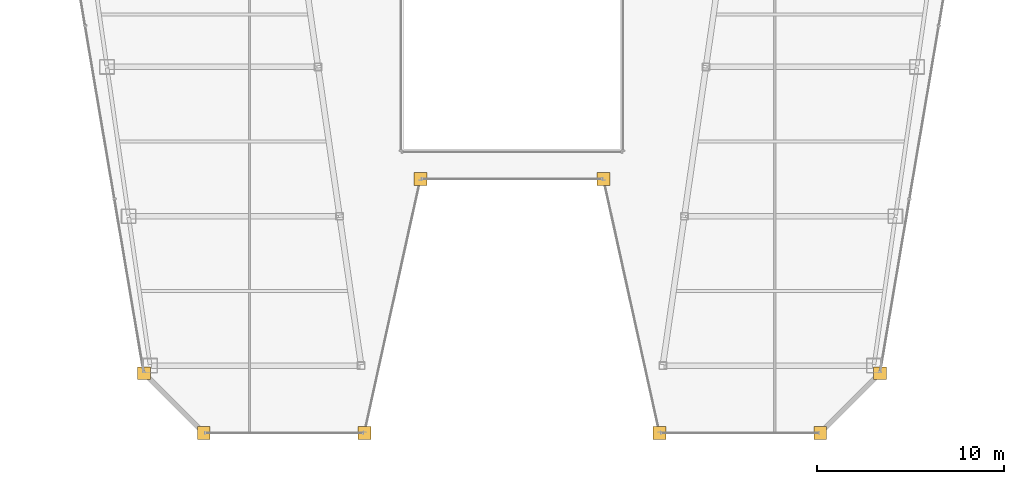
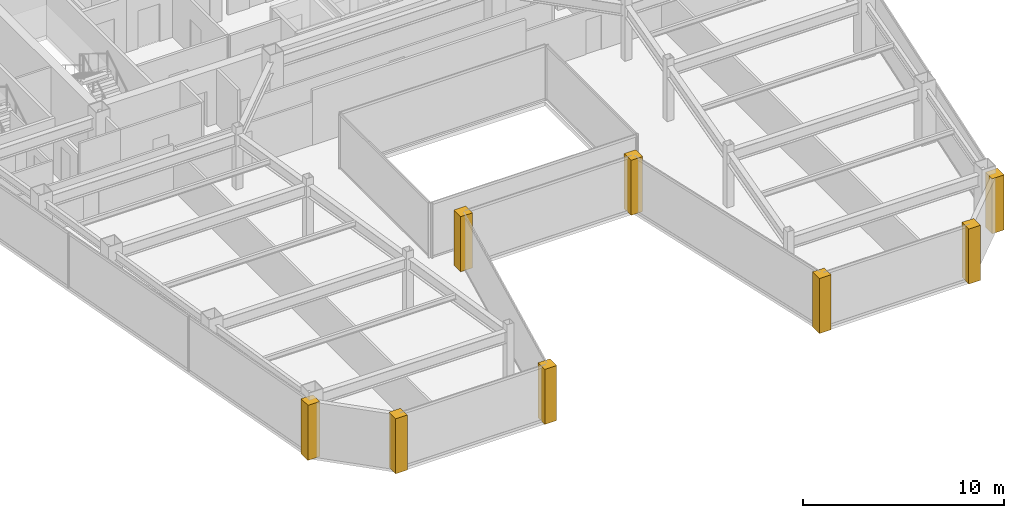
# One storey, part 32 of 34: 8 coverings.
"""IFC4 building model written with IfcOpenShell, lengths in metres."""

from ifc_helpers import new_model, si_unit, direction, frame, origin, place, context, subcontext, project, spatial, polyline, outline, extrude, material, layer, layer_set, type_object, element, save


model = new_model("IFC4")

# Units and contexts
model_context = context("Model", 3, precision=1e-05, world=origin(), true_north=direction((0.0, 1.0)))
body_context = subcontext(model_context, "Body", "Model", "MODEL_VIEW")
ifc_project = project(units=[si_unit("LENGTHUNIT", "METRE"), si_unit("AREAUNIT", "SQUARE_METRE"), si_unit("VOLUMEUNIT", "CUBIC_METRE"), si_unit("PLANEANGLEUNIT", "RADIAN"), si_unit("MASSUNIT", "GRAM", prefix="KILO")], contexts=[model_context])

# Site, building, storey
site_placement = place(None, origin())
site = spatial("IfcSite", under=ifc_project, at=site_placement, CompositionType="ELEMENT")
building_placement = place(site_placement, origin())
building = spatial("IfcBuilding", under=site, at=building_placement, Name="Saevonmaru Cultural Tower", CompositionType="ELEMENT")
storey_placement = place(building_placement, frame((0.0, 0.0, 220.800048828125)))
storey = spatial("IfcBuildingStorey", under=building, at=storey_placement, Name="L51", CompositionType="ELEMENT", Elevation=220.800048828125)

# Coverings
ifc_material = material(Name="Satin Bronze Anodised Aluminium", Category="aluminium")
ifc_layer = layer(ifc_material, 0.679931640625, Name="Satin Bronze Anodised Aluminium")
ifc_layer_set = layer_set([ifc_layer], Name="Satin Bronze Anodised Aluminium")
covering_type = type_object("IfcCoveringType", Name="CV-CORNER-CLAD", PredefinedType="CLADDING", material=ifc_layer_set)
covering_1_placement = place(storey_placement, origin())
element("IfcCovering", 1, at=covering_1_placement, inside=storey, type_object=covering_type, Name="L51 Tower Bronze Corner Cladding Pier 1", PredefinedType="CLADDING", context=body_context, shape_type="SweptSolid", body=[
    extrude(outline(polyline([(9.9580078125, 15.260009765625), (10.637939453125, 15.260009765625), (10.637939453125, 15.93994140625), (9.9580078125, 15.93994140625), (9.9580078125, 15.260009765625)])), origin(), (0.0, 0.0, 1.0), 3.349853515625),
])
covering_2_placement = place(storey_placement, origin())
element("IfcCovering", 2, at=covering_2_placement, inside=storey, type_object=covering_type, Name="L51 Tower Bronze Corner Cladding Pier 2", PredefinedType="CLADDING", context=body_context, shape_type="SweptSolid", body=[
    extrude(outline(polyline([(13.157958984375, 12.06005859375), (13.837890625, 12.06005859375), (13.837890625, 12.739990234375), (13.157958984375, 12.739990234375), (13.157958984375, 12.06005859375)])), origin(), (0.0, 0.0, 1.0), 3.349853515625),
])
covering_3_placement = place(storey_placement, origin())
element("IfcCovering", 3, at=covering_3_placement, inside=storey, type_object=covering_type, Name="L51 Tower Bronze Corner Cladding Pier 3", PredefinedType="CLADDING", context=body_context, shape_type="SweptSolid", body=[
    extrude(outline(polyline([(21.758056640625, 12.06005859375), (22.43798828125, 12.06005859375), (22.43798828125, 12.739990234375), (21.758056640625, 12.739990234375), (21.758056640625, 12.06005859375)])), origin(), (0.0, 0.0, 1.0), 3.349853515625),
])
covering_4_placement = place(storey_placement, origin())
element("IfcCovering", 4, at=covering_4_placement, inside=storey, type_object=covering_type, Name="L51 Tower Bronze Corner Cladding Pier 4", PredefinedType="CLADDING", context=body_context, shape_type="SweptSolid", body=[
    extrude(outline(polyline([(24.758056640625, 25.659912109375), (25.43798828125, 25.659912109375), (25.43798828125, 26.340087890625), (24.758056640625, 26.340087890625), (24.758056640625, 25.659912109375)])), origin(), (0.0, 0.0, 1.0), 3.349853515625),
])
covering_5_placement = place(storey_placement, origin())
element("IfcCovering", 5, at=covering_5_placement, inside=storey, type_object=covering_type, Name="L51 Tower Bronze Corner Cladding Pier 5", PredefinedType="CLADDING", context=body_context, shape_type="SweptSolid", body=[
    extrude(outline(polyline([(34.56201171875, 25.659912109375), (35.241943359375, 25.659912109375), (35.241943359375, 26.340087890625), (34.56201171875, 26.340087890625), (34.56201171875, 25.659912109375)])), origin(), (0.0, 0.0, 1.0), 3.349853515625),
])
covering_6_placement = place(storey_placement, origin())
element("IfcCovering", 6, at=covering_6_placement, inside=storey, type_object=covering_type, Name="L51 Tower Bronze Corner Cladding Pier 6", PredefinedType="CLADDING", context=body_context, shape_type="SweptSolid", body=[
    extrude(outline(polyline([(37.56201171875, 12.06005859375), (38.241943359375, 12.06005859375), (38.241943359375, 12.739990234375), (37.56201171875, 12.739990234375), (37.56201171875, 12.06005859375)])), origin(), (0.0, 0.0, 1.0), 3.349853515625),
])
covering_7_placement = place(storey_placement, origin())
element("IfcCovering", 7, at=covering_7_placement, inside=storey, type_object=covering_type, Name="L51 Tower Bronze Corner Cladding Pier 7", PredefinedType="CLADDING", context=body_context, shape_type="SweptSolid", body=[
    extrude(outline(polyline([(46.162109375, 12.06005859375), (46.842041015625, 12.06005859375), (46.842041015625, 12.739990234375), (46.162109375, 12.739990234375), (46.162109375, 12.06005859375)])), origin(), (0.0, 0.0, 1.0), 3.349853515625),
])
covering_8_placement = place(storey_placement, origin())
element("IfcCovering", 8, at=covering_8_placement, inside=storey, type_object=covering_type, Name="L51 Tower Bronze Corner Cladding Pier 8", PredefinedType="CLADDING", context=body_context, shape_type="SweptSolid", body=[
    extrude(outline(polyline([(49.362060546875, 15.260009765625), (50.0419921875, 15.260009765625), (50.0419921875, 15.93994140625), (49.362060546875, 15.93994140625), (49.362060546875, 15.260009765625)])), origin(), (0.0, 0.0, 1.0), 3.349853515625),
])

save(model, "model.ifc")
